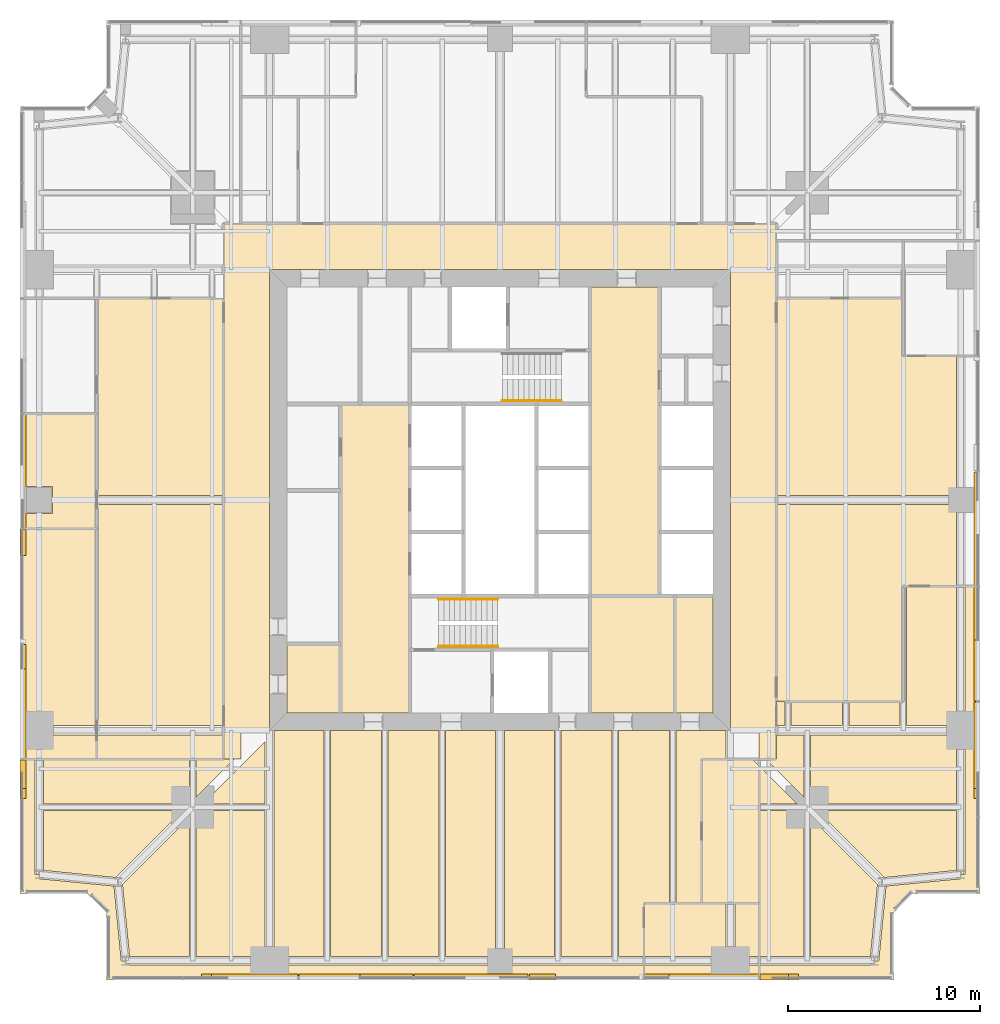
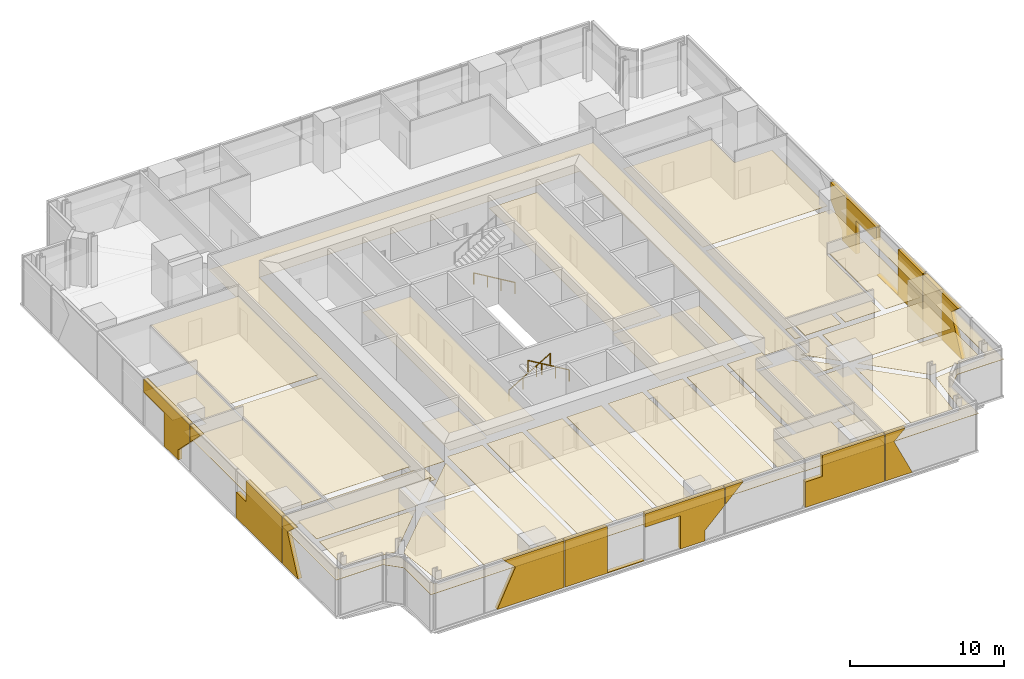
# One storey, part 12 of 13: 56 coverings, 3 railings.
"""IFC4 building model written with IfcOpenShell, lengths in metres."""

from ifc_helpers import new_model, si_unit, direction, frame, origin, origin_2d, place, context, subcontext, project, spatial, polyline, circle, outline, extrude, material, layer, layer_set, type_object, element, save


model = new_model("IFC4")

# Units and contexts
model_context = context("Model", 3, precision=1e-05, world=origin(), true_north=direction((0.0, 1.0)))
body_context = subcontext(model_context, "Body", "Model", "MODEL_VIEW")
ifc_project = project(units=[si_unit("LENGTHUNIT", "METRE"), si_unit("AREAUNIT", "SQUARE_METRE"), si_unit("VOLUMEUNIT", "CUBIC_METRE"), si_unit("PLANEANGLEUNIT", "RADIAN"), si_unit("MASSUNIT", "GRAM", prefix="KILO")], contexts=[model_context])

# Site, building, storey
site_placement = place(None, origin())
site = spatial("IfcSite", under=ifc_project, at=site_placement, CompositionType="ELEMENT")
building_placement = place(site_placement, origin())
building = spatial("IfcBuilding", under=site, at=building_placement, Name="Fenwick Lantern Interchange", CompositionType="ELEMENT")
storey_placement = place(building_placement, frame((0.0, 0.0, 158.39990234375)))
storey = spatial("IfcBuildingStorey", under=building, at=storey_placement, Name="L37", CompositionType="ELEMENT", Elevation=158.39990234375)

# Coverings
ifc_material_1 = material(Name="Mineral fibre acoustic tile on suspended grid")
ifc_layer_1 = layer(ifc_material_1, 0.02001953125)
ifc_layer_set_1 = layer_set([ifc_layer_1], Name="ACOUSTIC TILE CEILING 20")
covering_type_1 = type_object("IfcCoveringType", Name="ACOUSTIC TILE CEILING 20", PredefinedType="CEILING", material=ifc_layer_set_1)
covering_1_placement = place(storey_placement, frame((0.0, 0.0, 2.900146484375)))
element("IfcCovering", 1, at=covering_1_placement, inside=storey, type_object=covering_type_1, Name="Open office ceiling", PredefinedType="CEILING", context=body_context, shape_type="SweptSolid", body=[
    extrude(outline(polyline([(4.5, 3.5), (4.5, 0.0), (32.5, 0.0), (32.5, 0.775634765625), (25.0, 0.775634765625), (13.0, 0.775634765625), (13.0, 0.775634765625), (5.5, 0.775634765625), (5.5, 1.0), (5.276611328125, 0.978271484375), (4.89453125, 4.89453125), (0.978271484375, 5.276611328125), (1.0, 5.5), (0.775634765625, 5.5), (0.775634765625, 11.5), (0.0, 11.5), (0.0, 4.5), (3.5, 4.5), (4.5, 3.5)])), origin(), (0.0, 0.0, 1.0), 0.02001953125),
])
covering_2_placement = place(storey_placement, frame((0.0, 0.0, 2.900146484375)))
element("IfcCovering", 2, at=covering_2_placement, inside=storey, type_object=covering_type_1, Name="Open office ceiling", PredefinedType="CEILING", context=body_context, shape_type="SweptSolid", body=[
    extrude(outline(polyline([(18.833984375, 13.0), (16.166015625, 13.0), (16.166015625, 1.224365234375), (18.833984375, 1.224365234375), (18.833984375, 13.0)])), origin(), (0.0, 0.0, 1.0), 0.02001953125),
])
covering_3_placement = place(storey_placement, frame((0.0, 0.0, 2.900146484375)))
element("IfcCovering", 3, at=covering_3_placement, inside=storey, type_object=covering_type_1, Name="Open office ceiling", PredefinedType="CEILING", context=body_context, shape_type="SweptSolid", body=[
    extrude(outline(polyline([(21.833984375, 13.0), (19.166015625, 13.0), (19.166015625, 1.224365234375), (21.833984375, 1.224365234375), (21.833984375, 13.0)])), origin(), (0.0, 0.0, 1.0), 0.02001953125),
])
covering_4_placement = place(storey_placement, frame((0.0, 0.0, 2.900146484375)))
element("IfcCovering", 4, at=covering_4_placement, inside=storey, type_object=covering_type_1, Name="Open office ceiling", PredefinedType="CEILING", context=body_context, shape_type="SweptSolid", body=[
    extrude(outline(polyline([(30.833984375, 13.0), (28.166015625, 13.0), (28.166015625, 1.224365234375), (30.833984375, 1.224365234375), (30.833984375, 13.0)])), origin(), (0.0, 0.0, 1.0), 0.02001953125),
])
covering_5_placement = place(storey_placement, frame((0.0, 0.0, 2.900146484375)))
element("IfcCovering", 5, at=covering_5_placement, inside=storey, type_object=covering_type_1, Name="Open office ceiling", PredefinedType="CEILING", context=body_context, shape_type="SweptSolid", body=[
    extrude(outline(polyline([(24.762939453125, 13.0), (22.166015625, 13.0), (22.166015625, 1.224365234375), (24.762939453125, 1.224365234375), (24.762939453125, 13.0)])), origin(), (0.0, 0.0, 1.0), 0.02001953125),
])
covering_6_placement = place(storey_placement, frame((0.0, 0.0, 2.900146484375)))
element("IfcCovering", 6, at=covering_6_placement, inside=storey, type_object=covering_type_1, Name="Open office ceiling", PredefinedType="CEILING", context=body_context, shape_type="SweptSolid", body=[
    extrude(outline(polyline([(27.833984375, 13.0), (25.237060546875, 13.0), (25.237060546875, 1.224365234375), (27.833984375, 1.224365234375), (27.833984375, 13.0)])), origin(), (0.0, 0.0, 1.0), 0.02001953125),
])
covering_7_placement = place(storey_placement, frame((0.0, 0.0, 2.900146484375)))
element("IfcCovering", 7, at=covering_7_placement, inside=storey, type_object=covering_type_1, Name="Open office ceiling", PredefinedType="CEILING", context=body_context, shape_type="SweptSolid", body=[
    extrude(outline(polyline([(15.833984375, 13.0), (13.237060546875, 13.0), (13.237060546875, 1.224365234375), (15.833984375, 1.224365234375), (15.833984375, 13.0)])), origin(), (0.0, 0.0, 1.0), 0.02001953125),
])
covering_8_placement = place(storey_placement, frame((0.0, 0.0, 2.900146484375)))
element("IfcCovering", 8, at=covering_8_placement, inside=storey, type_object=covering_type_1, Name="Open office ceiling", PredefinedType="CEILING", context=body_context, shape_type="SweptSolid", body=[
    extrude(outline(polyline([(33.833984375, 13.0), (31.166015625, 13.0), (31.166015625, 1.224365234375), (32.5, 1.224365234375), (32.5, 4.0), (33.833984375, 4.0), (33.833984375, 13.0)])), origin(), (0.0, 0.0, 1.0), 0.02001953125),
])
covering_9_placement = place(storey_placement, frame((0.0, 0.0, 2.900146484375)))
element("IfcCovering", 9, at=covering_9_placement, inside=storey, type_object=covering_type_1, Name="Open office ceiling", PredefinedType="CEILING", context=body_context, shape_type="SweptSolid", body=[
    extrude(outline(polyline([(9.166015625, 8.82177734375), (9.166015625, 1.224365234375), (12.762939453125, 1.224365234375), (12.762939453125, 8.833984375), (9.17822265625, 8.833984375), (9.172119140625, 8.827880859375), (9.166015625, 8.82177734375)])), origin(), (0.0, 0.0, 1.0), 0.02001953125),
])
covering_10_placement = place(storey_placement, frame((0.0, 0.0, 2.900146484375)))
element("IfcCovering", 10, at=covering_10_placement, inside=storey, type_object=covering_type_1, Name="Open office ceiling", PredefinedType="CEILING", context=body_context, shape_type="SweptSolid", body=[
    extrude(outline(polyline([(4.99169921875, 5.336181640625), (8.489501953125, 8.833984375), (1.224365234375, 8.833984375), (1.224365234375, 5.70361328125), (4.99169921875, 5.336181640625)])), origin(), (0.0, 0.0, 1.0), 0.02001953125),
])
covering_11_placement = place(storey_placement, frame((0.0, 0.0, 2.900146484375)))
element("IfcCovering", 11, at=covering_11_placement, inside=storey, type_object=covering_type_1, Name="Open office ceiling", PredefinedType="CEILING", context=body_context, shape_type="SweptSolid", body=[
    extrude(outline(polyline([(8.833984375, 1.224365234375), (8.833984375, 8.489501953125), (5.336181640625, 4.99169921875), (5.70361328125, 1.224365234375), (8.833984375, 1.224365234375)])), origin(), (0.0, 0.0, 1.0), 0.02001953125),
])
covering_12_placement = place(storey_placement, frame((0.0, 0.0, 2.900146484375)))
element("IfcCovering", 12, at=covering_12_placement, inside=storey, type_object=covering_type_1, Name="Open office ceiling", PredefinedType="CEILING", context=body_context, shape_type="SweptSolid", body=[
    extrude(outline(polyline([(8.833984375, 11.5), (1.224365234375, 11.5), (1.224365234375, 9.166015625), (8.82177734375, 9.166015625), (8.827880859375, 9.172119140625), (8.833984375, 9.17822265625), (8.833984375, 11.5)])), origin(), (0.0, 0.0, 1.0), 0.02001953125),
])
covering_13_placement = place(storey_placement, frame((0.0, 0.0, 2.900146484375)))
element("IfcCovering", 13, at=covering_13_placement, inside=storey, type_object=covering_type_1, Name="Open office ceiling", PredefinedType="CEILING", context=body_context, shape_type="SweptSolid", body=[
    extrude(outline(polyline([(36.762939453125, 13.0), (34.166015625, 13.0), (34.166015625, 4.0), (35.5, 4.0), (35.5, 11.5), (36.762939453125, 11.5), (36.762939453125, 13.0)])), origin(), (0.0, 0.0, 1.0), 0.02001953125),
])
covering_14_placement = place(storey_placement, frame((0.0, 0.0, 2.900146484375)))
element("IfcCovering", 14, at=covering_14_placement, inside=storey, type_object=covering_type_1, Name="Open office ceiling", PredefinedType="CEILING", context=body_context, shape_type="SweptSolid", body=[
    extrude(outline(polyline([(12.762939453125, 12.41845703125), (9.510498046875, 9.166015625), (12.762939453125, 9.166015625), (12.762939453125, 12.41845703125)])), origin(), (0.0, 0.0, 1.0), 0.02001953125),
])
covering_15_placement = place(storey_placement, frame((0.0, 0.0, 2.900146484375)))
element("IfcCovering", 15, at=covering_15_placement, inside=storey, type_object=covering_type_1, Name="Open office ceiling", PredefinedType="CEILING", context=body_context, shape_type="SweptSolid", body=[
    extrude(outline(polyline([(11.155517578125, 11.5), (9.166015625, 11.5), (9.166015625, 9.510498046875), (11.155517578125, 11.5)])), origin(), (0.0, 0.0, 1.0), 0.02001953125),
])
covering_16_placement = place(storey_placement, frame((0.0, 0.0, 2.88427734375)))
element("IfcCovering", 16, at=covering_16_placement, inside=storey, type_object=covering_type_1, Name="Meeting room ceiling", PredefinedType="CEILING", context=body_context, shape_type="SweptSolid", body=[
    extrude(outline(polyline([(32.5, 4.0), (32.5, 1.224365234375), (36.762939453125, 1.224365234375), (36.762939453125, 4.0), (32.5, 4.0)])), origin(), (0.0, 0.0, 1.0), 0.02001953125),
])
covering_17_placement = place(storey_placement, frame((0.0, 0.0, 2.88427734375)))
element("IfcCovering", 17, at=covering_17_placement, inside=storey, type_object=covering_type_1, Name="Meeting room ceiling", PredefinedType="CEILING", context=body_context, shape_type="SweptSolid", body=[
    extrude(outline(polyline([(38.5, 0.0), (38.5, 0.775634765625), (37.0, 0.775634765625), (37.0, 0.775634765625), (32.5, 0.775634765625), (32.5, 0.0), (38.5, 0.0)])), origin(), (0.0, 0.0, 1.0), 0.02001953125),
])
covering_18_placement = place(storey_placement, frame((0.0, 0.0, 2.88427734375)))
element("IfcCovering", 18, at=covering_18_placement, inside=storey, type_object=covering_type_1, Name="Meeting room ceiling", PredefinedType="CEILING", context=body_context, shape_type="SweptSolid", body=[
    extrude(outline(polyline([(38.5, 4.0), (37.237060546875, 4.0), (37.237060546875, 1.224365234375), (38.5, 1.224365234375), (38.5, 4.0)])), origin(), (0.0, 0.0, 1.0), 0.02001953125),
])
covering_19_placement = place(storey_placement, frame((0.0, 0.0, 2.88427734375)))
element("IfcCovering", 19, at=covering_19_placement, inside=storey, type_object=covering_type_1, Name="Office suite ceiling", PredefinedType="CEILING", context=body_context, shape_type="SweptSolid", body=[
    extrude(outline(polyline([(39.39990234375, 35.5), (39.39990234375, 25.224365234375), (48.775634765625, 25.224365234375), (48.775634765625, 32.5), (46.0, 32.5), (46.0, 35.5), (39.39990234375, 35.5)])), origin(), (0.0, 0.0, 1.0), 0.02001953125),
])
covering_20_placement = place(storey_placement, frame((0.0, 0.0, 2.88427734375)))
element("IfcCovering", 20, at=covering_20_placement, inside=storey, type_object=covering_type_1, Name="Office suite ceiling", PredefinedType="CEILING", context=body_context, shape_type="SweptSolid", body=[
    extrude(outline(polyline([(46.0, 20.5), (48.775634765625, 20.5), (48.775634765625, 24.775634765625), (39.39990234375, 24.775634765625), (39.39990234375, 14.5), (46.0, 14.5), (46.0, 20.5)])), origin(), (0.0, 0.0, 1.0), 0.02001953125),
])
covering_21_placement = place(storey_placement, frame((0.0, 0.0, 2.900146484375)))
element("IfcCovering", 21, at=covering_21_placement, inside=storey, type_object=covering_type_1, Name="Office lounge ceiling", PredefinedType="CEILING", context=body_context, shape_type="SweptSolid", body=[
    extrude(outline(polyline([(48.775634765625, 12.756591796875), (41.166015625, 12.756591796875), (41.166015625, 9.17822265625), (41.172119140625, 9.172119140625), (41.17822265625, 9.166015625), (48.775634765625, 9.166015625), (48.775634765625, 12.756591796875)])), origin(), (0.0, 0.0, 1.0), 0.02001953125),
])
covering_22_placement = place(storey_placement, frame((0.0, 0.0, 2.900146484375)))
element("IfcCovering", 22, at=covering_22_placement, inside=storey, type_object=covering_type_1, Name="Office lounge ceiling", PredefinedType="CEILING", context=body_context, shape_type="SweptSolid", body=[
    extrude(outline(polyline([(50.0, 20.5), (49.224365234375, 20.5), (49.224365234375, 13.0), (49.224365234375, 5.5), (49.0, 5.5), (49.021728515625, 5.276611328125), (45.10546875, 4.89453125), (44.723388671875, 0.978271484375), (44.5, 1.0), (44.5, 0.775634765625), (38.5, 0.775634765625), (38.5, 0.0), (45.5, 0.0), (45.5, 3.5), (46.5, 4.5), (50.0, 4.5), (50.0, 20.5)])), origin(), (0.0, 0.0, 1.0), 0.02001953125),
])
covering_23_placement = place(storey_placement, frame((0.0, 0.0, 2.900146484375)))
element("IfcCovering", 23, at=covering_23_placement, inside=storey, type_object=covering_type_1, Name="Office lounge ceiling", PredefinedType="CEILING", context=body_context, shape_type="SweptSolid", body=[
    extrude(outline(polyline([(48.775634765625, 20.5), (46.166015625, 20.5), (46.166015625, 13.243408203125), (48.775634765625, 13.243408203125), (48.775634765625, 20.5)])), origin(), (0.0, 0.0, 1.0), 0.02001953125),
])
covering_24_placement = place(storey_placement, frame((0.0, 0.0, 2.900146484375)))
element("IfcCovering", 24, at=covering_24_placement, inside=storey, type_object=covering_type_1, Name="Office lounge ceiling", PredefinedType="CEILING", context=body_context, shape_type="SweptSolid", body=[
    extrude(outline(polyline([(44.663818359375, 4.99169921875), (41.166015625, 8.489501953125), (41.166015625, 1.224365234375), (44.29638671875, 1.224365234375), (44.663818359375, 4.99169921875)])), origin(), (0.0, 0.0, 1.0), 0.02001953125),
])
covering_25_placement = place(storey_placement, frame((0.0, 0.0, 2.900146484375)))
element("IfcCovering", 25, at=covering_25_placement, inside=storey, type_object=covering_type_1, Name="Office lounge ceiling", PredefinedType="CEILING", context=body_context, shape_type="SweptSolid", body=[
    extrude(outline(polyline([(41.510498046875, 8.833984375), (45.00830078125, 5.336181640625), (48.775634765625, 5.70361328125), (48.775634765625, 8.833984375), (41.510498046875, 8.833984375)])), origin(), (0.0, 0.0, 1.0), 0.02001953125),
])
covering_26_placement = place(storey_placement, frame((0.0, 0.0, 2.900146484375)))
element("IfcCovering", 26, at=covering_26_placement, inside=storey, type_object=covering_type_1, Name="Office lounge ceiling", PredefinedType="CEILING", context=body_context, shape_type="SweptSolid", body=[
    extrude(outline(polyline([(38.5, 8.833984375), (38.5, 1.224365234375), (40.833984375, 1.224365234375), (40.833984375, 8.82177734375), (40.827880859375, 8.827880859375), (40.82177734375, 8.833984375), (38.5, 8.833984375)])), origin(), (0.0, 0.0, 1.0), 0.02001953125),
])
covering_27_placement = place(storey_placement, frame((0.0, 0.0, 2.900146484375)))
element("IfcCovering", 27, at=covering_27_placement, inside=storey, type_object=covering_type_1, Name="Office lounge ceiling", PredefinedType="CEILING", context=body_context, shape_type="SweptSolid", body=[
    extrude(outline(polyline([(39.39990234375, 11.5), (38.844482421875, 11.5), (40.833984375, 9.510498046875), (40.833984375, 12.756591796875), (39.39990234375, 12.756591796875), (39.39990234375, 11.5)])), origin(), (0.0, 0.0, 1.0), 0.02001953125),
])
covering_28_placement = place(storey_placement, frame((0.0, 0.0, 2.900146484375)))
element("IfcCovering", 28, at=covering_28_placement, inside=storey, type_object=covering_type_1, Name="Office lounge ceiling", PredefinedType="CEILING", context=body_context, shape_type="SweptSolid", body=[
    extrude(outline(polyline([(42.833984375, 14.5), (40.166015625, 14.5), (40.166015625, 13.243408203125), (42.833984375, 13.243408203125), (42.833984375, 14.5)])), origin(), (0.0, 0.0, 1.0), 0.02001953125),
])
covering_29_placement = place(storey_placement, frame((0.0, 0.0, 2.900146484375)))
element("IfcCovering", 29, at=covering_29_placement, inside=storey, type_object=covering_type_1, Name="Office lounge ceiling", PredefinedType="CEILING", context=body_context, shape_type="SweptSolid", body=[
    extrude(outline(polyline([(45.833984375, 14.5), (43.166015625, 14.5), (43.166015625, 13.243408203125), (45.833984375, 13.243408203125), (45.833984375, 14.5)])), origin(), (0.0, 0.0, 1.0), 0.02001953125),
])
covering_30_placement = place(storey_placement, frame((0.0, 0.0, 2.900146484375)))
element("IfcCovering", 30, at=covering_30_placement, inside=storey, type_object=covering_type_1, Name="Office lounge ceiling", PredefinedType="CEILING", context=body_context, shape_type="SweptSolid", body=[
    extrude(outline(polyline([(38.5, 11.155517578125), (38.5, 9.166015625), (40.489501953125, 9.166015625), (38.5, 11.155517578125)])), origin(), (0.0, 0.0, 1.0), 0.02001953125),
])
covering_31_placement = place(storey_placement, frame((0.0, 0.0, 2.900146484375)))
element("IfcCovering", 31, at=covering_31_placement, inside=storey, type_object=covering_type_1, Name="Office lounge ceiling", PredefinedType="CEILING", context=body_context, shape_type="SweptSolid", body=[
    extrude(outline(polyline([(39.39990234375, 14.5), (39.39990234375, 13.243408203125), (39.833984375, 13.243408203125), (39.833984375, 14.5), (39.39990234375, 14.5)])), origin(), (0.0, 0.0, 1.0), 0.02001953125),
])
covering_32_placement = place(storey_placement, frame((0.0, 0.0, 2.88427734375)))
element("IfcCovering", 32, at=covering_32_placement, inside=storey, type_object=covering_type_1, Name="Office suite ceiling", PredefinedType="CEILING", context=body_context, shape_type="SweptSolid", body=[
    extrude(outline(polyline([(10.60009765625, 13.243408203125), (10.60009765625, 24.775634765625), (4.0, 24.775634765625), (4.0, 13.243408203125), (10.60009765625, 13.243408203125)])), origin(), (0.0, 0.0, 1.0), 0.02001953125),
])
covering_33_placement = place(storey_placement, frame((0.0, 0.0, 2.88427734375)))
element("IfcCovering", 33, at=covering_33_placement, inside=storey, type_object=covering_type_1, Name="Office suite ceiling", PredefinedType="CEILING", context=body_context, shape_type="SweptSolid", body=[
    extrude(outline(polyline([(10.60009765625, 25.224365234375), (10.60009765625, 35.5), (4.0, 35.5), (4.0, 25.224365234375), (10.60009765625, 25.224365234375)])), origin(), (0.0, 0.0, 1.0), 0.02001953125),
])
covering_34_placement = place(storey_placement, frame((0.0, 0.0, 2.88427734375)))
element("IfcCovering", 34, at=covering_34_placement, inside=storey, type_object=covering_type_1, Name="Office suite ceiling", PredefinedType="CEILING", context=body_context, shape_type="SweptSolid", body=[
    extrude(outline(polyline([(10.60009765625, 11.5), (10.60009765625, 12.756591796875), (4.0, 12.756591796875), (4.0, 11.5), (10.60009765625, 11.5)])), origin(), (0.0, 0.0, 1.0), 0.02001953125),
])
covering_35_placement = place(storey_placement, frame((0.0, 0.0, 2.688720703125)))
element("IfcCovering", 35, at=covering_35_placement, inside=storey, type_object=covering_type_1, Name="Office ceiling", PredefinedType="CEILING", context=body_context, shape_type="SweptSolid", body=[
    extrude(outline(polyline([(0.0, 29.5), (0.0, 25.699951171875), (1.699951171875, 25.699951171875), (1.699951171875, 24.300048828125), (0.0, 24.300048828125), (0.0, 23.5), (4.0, 23.5), (4.0, 29.5), (0.0, 29.5)])), origin(), (0.0, 0.0, 1.0), 0.02001953125),
])
covering_36_placement = place(storey_placement, frame((0.0, 0.0, 2.688720703125)))
element("IfcCovering", 36, at=covering_36_placement, inside=storey, type_object=covering_type_1, Name="Meeting room ceiling", PredefinedType="CEILING", context=body_context, shape_type="SweptSolid", body=[
    extrude(outline(polyline([(4.0, 23.5), (0.0, 23.5), (0.0, 11.5), (4.0, 11.5), (4.0, 12.756591796875), (1.0, 12.756591796875), (1.0, 13.243408203125), (4.0, 13.243408203125), (4.0, 23.5)])), origin(), (0.0, 0.0, 1.0), 0.02001953125),
])
ifc_material_2 = material(Name="Granite cladding, warm grey flamed finish, on aluminium carrier frame", Category="masonry")
ifc_layer_2 = layer(ifc_material_2, 0.300048828125)
ifc_layer_set_2 = layer_set([ifc_layer_2], Name="BRACE CASING PANEL 300")
covering_type_2 = type_object("IfcCoveringType", Name="BRACE CASING PANEL 300", PredefinedType="CLADDING", material=ifc_layer_set_2)
covering_37_placement = place(storey_placement, frame((4.60009765625, 0.10009765625, 0.0), z_axis=(0.0, 0.0, 1.0), x_axis=(1.0, 0.0, 0.0)))
element("IfcCovering", 37, at=covering_37_placement, inside=storey, type_object=covering_type_2, Name="Brace casing 01 bay 01a", PredefinedType="CLADDING", context=body_context, shape_type="SweptSolid", body=[
    extrude(outline(polyline([(4.861328125, 0.0), (9.867431640625, 0.0), (9.867431640625, 3.7001953125), (5.3671875, 3.7001953125), (6.2314453125, 2.902099609375), (4.861328125, 0.0)])), frame((0.0, 0.2001953125, 0.0), z_axis=(0.0, -1.0, 0.0), x_axis=(1.0, 0.0, 0.0)), (0.0, 0.0, 1.0), 0.300048828125),
])
covering_38_placement = place(storey_placement, frame((4.60009765625, 0.10009765625, 0.0), z_axis=(0.0, 0.0, 1.0), x_axis=(1.0, 0.0, 0.0)))
element("IfcCovering", 38, at=covering_38_placement, inside=storey, type_object=covering_type_2, Name="Brace casing 01 bay 02a", PredefinedType="CLADDING", context=body_context, shape_type="SweptSolid", body=[
    extrude(outline(polyline([(9.9326171875, 0.0), (15.867431640625, 0.0), (15.867431640625, 0.037109375), (13.10498046875, 0.037109375), (13.10498046875, 3.7001953125), (9.9326171875, 3.7001953125), (9.9326171875, 0.0)])), frame((0.0, 0.2001953125, 0.0), z_axis=(0.0, -1.0, 0.0), x_axis=(1.0, 0.0, 0.0)), (0.0, 0.0, 1.0), 0.300048828125),
])
covering_39_placement = place(storey_placement, frame((4.60009765625, 0.10009765625, 0.0), z_axis=(0.0, 0.0, 1.0), x_axis=(1.0, 0.0, 0.0)))
element("IfcCovering", 39, at=covering_39_placement, inside=storey, type_object=covering_type_2, Name="Brace casing 01 bay 03a", PredefinedType="CLADDING", context=body_context, shape_type="SweptSolid", body=[
    extrude(outline(polyline([(18.567626953125, 0.0), (20.39990234375, 0.0), (20.39990234375, 0.804443359375), (21.867431640625, 2.27197265625), (21.867431640625, 3.7001953125), (15.9326171875, 3.7001953125), (15.9326171875, 2.636962890625), (18.567626953125, 2.636962890625), (18.567626953125, 0.0)])), frame((0.0, 0.2001953125, 0.0), z_axis=(0.0, -1.0, 0.0), x_axis=(1.0, 0.0, 0.0)), (0.0, 0.0, 1.0), 0.300048828125),
])
covering_40_placement = place(storey_placement, frame((4.60009765625, 0.10009765625, 2.3369140625), z_axis=(0.0, 0.0, 1.0), x_axis=(1.0, 0.0, 0.0)))
element("IfcCovering", 40, at=covering_40_placement, inside=storey, type_object=covering_type_2, Name="Brace casing 01 bay 04a", PredefinedType="CLADDING", context=body_context, shape_type="SweptSolid", body=[
    extrude(outline(polyline([(21.9326171875, 0.0), (23.295654296875, 1.36328125), (21.9326171875, 1.36328125), (21.9326171875, 0.0)])), frame((0.0, 0.2001953125, 0.0), z_axis=(0.0, -1.0, 0.0), x_axis=(1.0, 0.0, 0.0)), (0.0, 0.0, 1.0), 0.300048828125),
])
covering_41_placement = place(storey_placement, frame((4.60009765625, 0.10009765625, 0.0), z_axis=(0.0, 0.0, 1.0), x_axis=(1.0, 0.0, 0.0)))
element("IfcCovering", 41, at=covering_41_placement, inside=storey, type_object=covering_type_2, Name="Brace casing 01 bay 05a", PredefinedType="CLADDING", context=body_context, shape_type="SweptSolid", body=[
    extrude(outline(polyline([(27.9326171875, 0.0), (33.867431640625, 0.0), (33.867431640625, 3.7001953125), (29.197509765625, 3.7001953125), (29.197509765625, 2.02587890625), (27.9326171875, 2.02587890625), (27.9326171875, 0.0)])), frame((0.0, 0.2001953125, 0.0), z_axis=(0.0, -1.0, 0.0), x_axis=(1.0, 0.0, 0.0)), (0.0, 0.0, 1.0), 0.300048828125),
])
covering_42_placement = place(storey_placement, frame((4.60009765625, 0.10009765625, 0.0), z_axis=(0.0, 0.0, 1.0), x_axis=(1.0, 0.0, 0.0)))
element("IfcCovering", 42, at=covering_42_placement, inside=storey, type_object=covering_type_2, Name="Brace casing 01 bay 06a", PredefinedType="CLADDING", context=body_context, shape_type="SweptSolid", body=[
    extrude(outline(polyline([(33.9326171875, 0.0), (35.938720703125, 0.0), (34.568603515625, 2.902099609375), (35.432861328125, 3.7001953125), (33.9326171875, 3.7001953125), (33.9326171875, 0.0)])), frame((0.0, 0.2001953125, 0.0), z_axis=(0.0, -1.0, 0.0), x_axis=(1.0, 0.0, 0.0)), (0.0, 0.0, 1.0), 0.300048828125),
])
covering_43_placement = place(storey_placement, frame((49.89990234375, 4.60009765625, 0.0), z_axis=(0.0, 0.0, 1.0), x_axis=(0.0, 1.0, 0.0)))
element("IfcCovering", 43, at=covering_43_placement, inside=storey, type_object=covering_type_2, Name="Brace casing 05 bay 01a", PredefinedType="CLADDING", context=body_context, shape_type="SweptSolid", body=[
    extrude(outline(polyline([(4.861328125, 0.0), (9.867431640625, 0.0), (9.867431640625, 3.7001953125), (5.3671875, 3.7001953125), (6.2314453125, 2.902099609375), (4.861328125, 0.0)])), frame((0.0, 0.2001953125, 0.0), z_axis=(0.0, -1.0, 0.0), x_axis=(1.0, 0.0, 0.0)), (0.0, 0.0, 1.0), 0.300048828125),
])
covering_44_placement = place(storey_placement, frame((49.89990234375, 4.60009765625, 0.0), z_axis=(0.0, 0.0, 1.0), x_axis=(0.0, 1.0, 0.0)))
element("IfcCovering", 44, at=covering_44_placement, inside=storey, type_object=covering_type_2, Name="Brace casing 05 bay 02a", PredefinedType="CLADDING", context=body_context, shape_type="SweptSolid", body=[
    extrude(outline(polyline([(9.9326171875, 0.0), (15.867431640625, 0.0), (15.867431640625, 0.037109375), (13.10498046875, 0.037109375), (13.10498046875, 3.7001953125), (9.9326171875, 3.7001953125), (9.9326171875, 0.0)])), frame((0.0, 0.2001953125, 0.0), z_axis=(0.0, -1.0, 0.0), x_axis=(1.0, 0.0, 0.0)), (0.0, 0.0, 1.0), 0.300048828125),
])
for number, where, z_axis, x_axis, name in (
    (45, (49.89990234375, 4.60009765625, 0.0), (0.0, 0.0, 1.0), (0.0, 1.0, 0.0), "Brace casing 05 bay 03a"),
    (46, (0.10009765625, 45.39990234375, 0.0), (0.0, 0.0, 1.0), (0.0, -1.0, 0.0), "Brace casing 13 bay 03a"),
):
    element("IfcCovering", number, at=place(storey_placement, frame(where, z_axis=z_axis, x_axis=x_axis)), inside=storey, type_object=covering_type_2, Name=name, PredefinedType="CLADDING", context=body_context, shape_type="SweptSolid", body=[
        extrude(outline(polyline([(18.567626953125, 0.0), (20.39990234375, 0.0), (20.39990234375, 0.804443359375), (21.867431640625, 2.27197265625), (21.867431640625, 3.7001953125), (15.9326171875, 3.7001953125), (15.9326171875, 2.636962890625), (18.567626953125, 2.636962890625), (18.567626953125, 0.0)])), frame((0.0, 0.2001953125, 0.0), z_axis=(0.0, -1.0, 0.0), x_axis=(1.0, 0.0, 0.0)), (0.0, 0.0, 1.0), 0.300048828125),
    ])
covering_45_placement = place(storey_placement, frame((0.10009765625, 45.39990234375, 2.3369140625), z_axis=(0.0, 0.0, 1.0), x_axis=(0.0, -1.0, 0.0)))
element("IfcCovering", 47, at=covering_45_placement, inside=storey, type_object=covering_type_2, Name="Brace casing 13 bay 04a", PredefinedType="CLADDING", context=body_context, shape_type="SweptSolid", body=[
    extrude(outline(polyline([(21.9326171875, 0.0), (23.295654296875, 1.36328125), (21.9326171875, 1.36328125), (21.9326171875, 0.0)])), frame((0.0, 0.2001953125, 0.0), z_axis=(0.0, -1.0, 0.0), x_axis=(1.0, 0.0, 0.0)), (0.0, 0.0, 1.0), 0.300048828125),
])
covering_46_placement = place(storey_placement, frame((0.10009765625, 45.39990234375, 0.0), z_axis=(0.0, 0.0, 1.0), x_axis=(0.0, -1.0, 0.0)))
element("IfcCovering", 48, at=covering_46_placement, inside=storey, type_object=covering_type_2, Name="Brace casing 13 bay 05a", PredefinedType="CLADDING", context=body_context, shape_type="SweptSolid", body=[
    extrude(outline(polyline([(27.9326171875, 0.0), (33.867431640625, 0.0), (33.867431640625, 3.7001953125), (29.197509765625, 3.7001953125), (29.197509765625, 2.02587890625), (27.9326171875, 2.02587890625), (27.9326171875, 0.0)])), frame((0.0, 0.2001953125, 0.0), z_axis=(0.0, -1.0, 0.0), x_axis=(1.0, 0.0, 0.0)), (0.0, 0.0, 1.0), 0.300048828125),
])
covering_47_placement = place(storey_placement, frame((0.10009765625, 45.39990234375, 0.0), z_axis=(0.0, 0.0, 1.0), x_axis=(0.0, -1.0, 0.0)))
element("IfcCovering", 49, at=covering_47_placement, inside=storey, type_object=covering_type_2, Name="Brace casing 13 bay 06a", PredefinedType="CLADDING", context=body_context, shape_type="SweptSolid", body=[
    extrude(outline(polyline([(33.9326171875, 0.0), (35.938720703125, 0.0), (34.568603515625, 2.902099609375), (35.432861328125, 3.7001953125), (33.9326171875, 3.7001953125), (33.9326171875, 0.0)])), frame((0.0, 0.2001953125, 0.0), z_axis=(0.0, -1.0, 0.0), x_axis=(1.0, 0.0, 0.0)), (0.0, 0.0, 1.0), 0.300048828125),
])

# Railings
ifc_material_3 = material(Name="Stainless steel handrail", Category="steel")
railing_type = type_object("IfcRailingType", Name="HANDRAIL 900", PredefinedType="HANDRAIL", material=ifc_material_3)
railing_placement = place(storey_placement, frame((21.800048828125, 19.825927734375, 0.166748046875)))
element("IfcRailing", 50, at=railing_placement, inside=storey, type_object=railing_type, Name="L37/STAIR/ST1/HR1", PredefinedType="HANDRAIL", context=body_context, shape_type="SweptSolid", body=[
    extrude(circle(Radius=0.02392578125, at=origin_2d()), frame((0.0, 0.0, 0.8759765625), z_axis=(0.859290745958, 0.0, 0.51148745235), x_axis=(0.0, 1.0, 0.0)), (0.0, 0.0, 1.0), 3.584228515625),
    extrude(circle(Radius=0.02099609375, at=origin_2d()), origin(), (0.0, 0.0, 1.0), 0.851806640625),
    extrude(circle(Radius=0.02099609375, at=origin_2d()), frame((1.026611328125, 0.0, 0.611083984375)), (0.0, 0.0, 1.0), 0.851806640625),
    extrude(circle(Radius=0.02099609375, at=origin_2d()), frame((2.05322265625, 0.0, 1.22216796875)), (0.0, 0.0, 1.0), 0.851806640625),
    extrude(circle(Radius=0.02099609375, at=origin_2d()), frame((3.079833984375, 0.0, 1.833251953125)), (0.0, 0.0, 1.0), 0.851806640625),
])
for number, where, name in (
    (51, (24.8798828125, 17.3740234375, 2.166748046875), "L37/STAIR/ST1/HR2"),
    (52, (28.199951171875, 30.174072265625, 0.166748046875), "L37/STAIR/ST2/HR1"),
):
    element("IfcRailing", number, at=place(storey_placement, frame(where)), inside=storey, type_object=railing_type, Name=name, PredefinedType="HANDRAIL", context=body_context, shape_type="SweptSolid", body=[
        extrude(circle(Radius=0.02392578125, at=origin_2d()), frame((0.0, 0.0, 0.8759765625), z_axis=(-0.859290745958, 0.0, 0.51148745235), x_axis=(0.0, -1.0, 0.0)), (0.0, 0.0, 1.0), 3.584228515625),
        extrude(circle(Radius=0.02099609375, at=origin_2d()), origin(), (0.0, 0.0, 1.0), 0.851806640625),
        extrude(circle(Radius=0.02099609375, at=origin_2d()), frame((-1.026611328125, 0.0, 0.611083984375)), (0.0, 0.0, 1.0), 0.851806640625),
        extrude(circle(Radius=0.02099609375, at=origin_2d()), frame((-2.05322265625, 0.0, 1.22216796875)), (0.0, 0.0, 1.0), 0.851806640625),
        extrude(circle(Radius=0.02099609375, at=origin_2d()), frame((-3.079833984375, 0.0, 1.833251953125)), (0.0, 0.0, 1.0), 0.851806640625),
    ])

# Coverings
ifc_material_4 = material(Name="Moisture resistant gypsum board on suspended frame, painted")
ifc_layer_3 = layer(ifc_material_4, 0.014892578125)
ifc_layer_set_3 = layer_set([ifc_layer_3], Name="MOISTURE RESISTANT CEILING 15")
covering_type_3 = type_object("IfcCoveringType", Name="MOISTURE RESISTANT CEILING 15", PredefinedType="CEILING", material=ifc_layer_set_3)
covering_48_placement = place(storey_placement, frame((0.0, 0.0, 2.60009765625)))
element("IfcCovering", 53, at=covering_48_placement, inside=storey, type_object=covering_type_3, Name="Women's WC ceiling", PredefinedType="CEILING", context=body_context, shape_type="SweptSolid", body=[
    extrude(outline(polyline([(29.699951171875, 13.89990234375), (34.10009765625, 13.89990234375), (34.10009765625, 20.0), (29.699951171875, 20.0), (29.699951171875, 13.89990234375)])), origin(), (0.0, 0.0, 1.0), 0.014892578125),
])
covering_49_placement = place(storey_placement, frame((0.0, 0.0, 2.60009765625)))
element("IfcCovering", 54, at=covering_49_placement, inside=storey, type_object=covering_type_3, Name="Men's WC ceiling", PredefinedType="CEILING", context=body_context, shape_type="SweptSolid", body=[
    extrude(outline(polyline([(34.10009765625, 13.89990234375), (36.10009765625, 13.89990234375), (36.10009765625, 20.0), (34.10009765625, 20.0), (34.10009765625, 13.89990234375)])), origin(), (0.0, 0.0, 1.0), 0.014892578125),
])
covering_50_placement = place(storey_placement, frame((0.0, 0.0, 2.60009765625)))
element("IfcCovering", 55, at=covering_50_placement, inside=storey, type_object=covering_type_3, Name="Accessible WC and shower ceiling", PredefinedType="CEILING", context=body_context, shape_type="SweptSolid", body=[
    extrude(outline(polyline([(13.89990234375, 13.89990234375), (16.699951171875, 13.89990234375), (16.699951171875, 17.5), (13.89990234375, 17.5), (13.89990234375, 13.89990234375)])), origin(), (0.0, 0.0, 1.0), 0.014892578125),
])
covering_51_placement = place(storey_placement, frame((0.0, 0.0, 2.7001953125)))
element("IfcCovering", 56, at=covering_51_placement, inside=storey, type_object=covering_type_3, Name="Pantry ceiling", PredefinedType="CEILING", context=body_context, shape_type="SweptSolid", body=[
    extrude(outline(polyline([(38.5, 4.0), (38.5, 11.155517578125), (38.155517578125, 11.5), (35.5, 11.5), (35.5, 4.0), (38.5, 4.0)])), origin(), (0.0, 0.0, 1.0), 0.014892578125),
])
ifc_material_5 = material(Name="Gypsum plasterboard on suspended frame, painted")
ifc_layer_4 = layer(ifc_material_5, 0.014892578125)
ifc_layer_set_4 = layer_set([ifc_layer_4], Name="PLASTERBOARD CEILING 15")
covering_type_4 = type_object("IfcCoveringType", Name="PLASTERBOARD CEILING 15", PredefinedType="CEILING", material=ifc_layer_set_4)
covering_52_placement = place(storey_placement, frame((0.0, 0.0, 2.800048828125)))
element("IfcCovering", 57, at=covering_52_placement, inside=storey, type_object=covering_type_4, Name="Lift lobby ceiling", PredefinedType="CEILING", context=body_context, shape_type="SweptSolid", body=[
    extrude(outline(polyline([(16.699951171875, 13.89990234375), (20.300048828125, 13.89990234375), (20.300048828125, 30.0), (16.699951171875, 30.0), (16.699951171875, 13.89990234375)])), origin(), (0.0, 0.0, 1.0), 0.01513671875),
])
covering_53_placement = place(storey_placement, frame((0.0, 0.0, 2.800048828125)))
element("IfcCovering", 58, at=covering_53_placement, inside=storey, type_object=covering_type_4, Name="Lift lobby ceiling", PredefinedType="CEILING", context=body_context, shape_type="SweptSolid", body=[
    extrude(outline(polyline([(33.300048828125, 36.10009765625), (29.699951171875, 36.10009765625), (29.699951171875, 20.0), (33.300048828125, 20.0), (33.300048828125, 36.10009765625)])), origin(), (0.0, 0.0, 1.0), 0.01513671875),
])
covering_54_placement = place(storey_placement, frame((0.0, 0.0, 2.60009765625)))
element("IfcCovering", 59, at=covering_54_placement, inside=storey, type_object=covering_type_4, Name="Corridor ceiling", PredefinedType="CEILING", context=body_context, shape_type="SweptSolid", body=[
    extrude(outline(polyline([(10.60009765625, 39.39990234375), (10.60009765625, 11.5), (11.5, 11.5), (11.5, 13.0), (13.0, 13.0), (13.0, 37.0), (37.0, 37.0), (37.0, 13.0), (38.5, 13.0), (38.5, 11.5), (39.39990234375, 11.5), (39.39990234375, 39.39990234375), (10.60009765625, 39.39990234375)])), origin(), (0.0, 0.0, 1.0), 0.014892578125),
])

save(model, "model.ifc")
